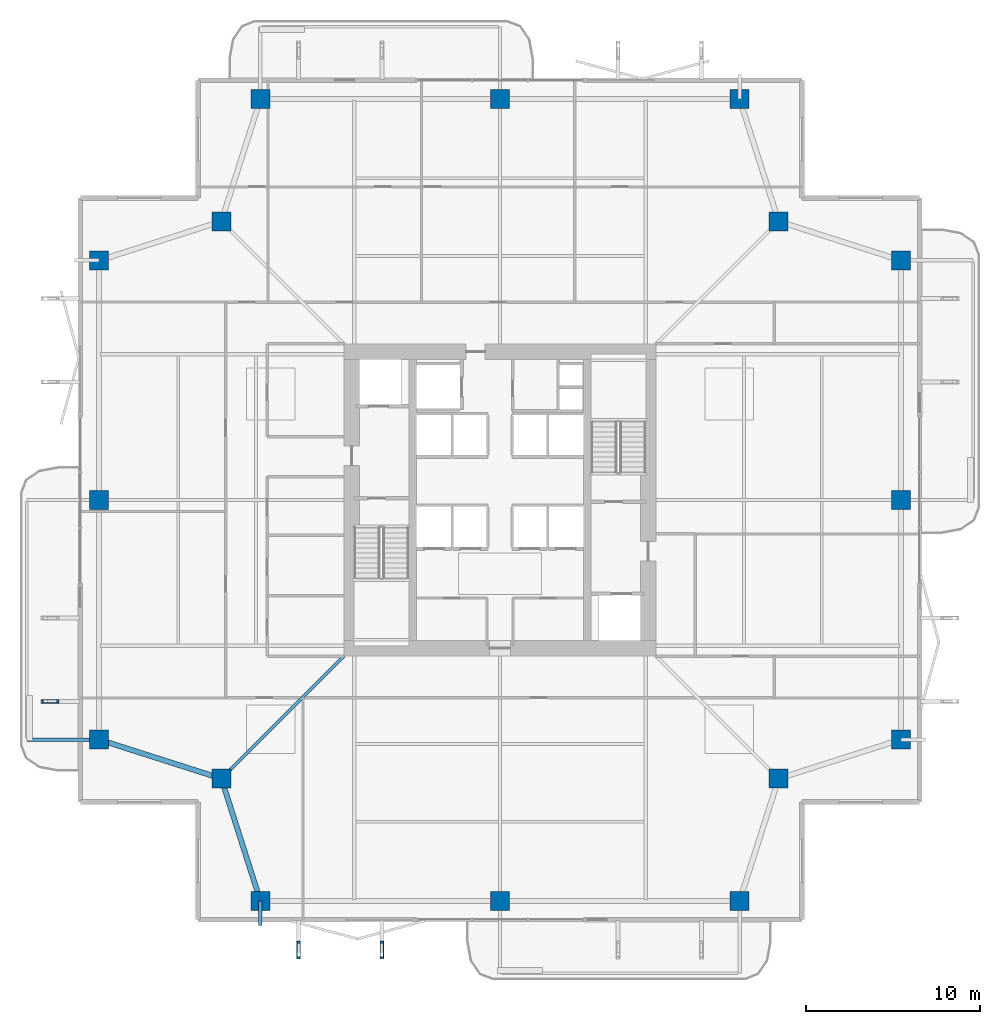
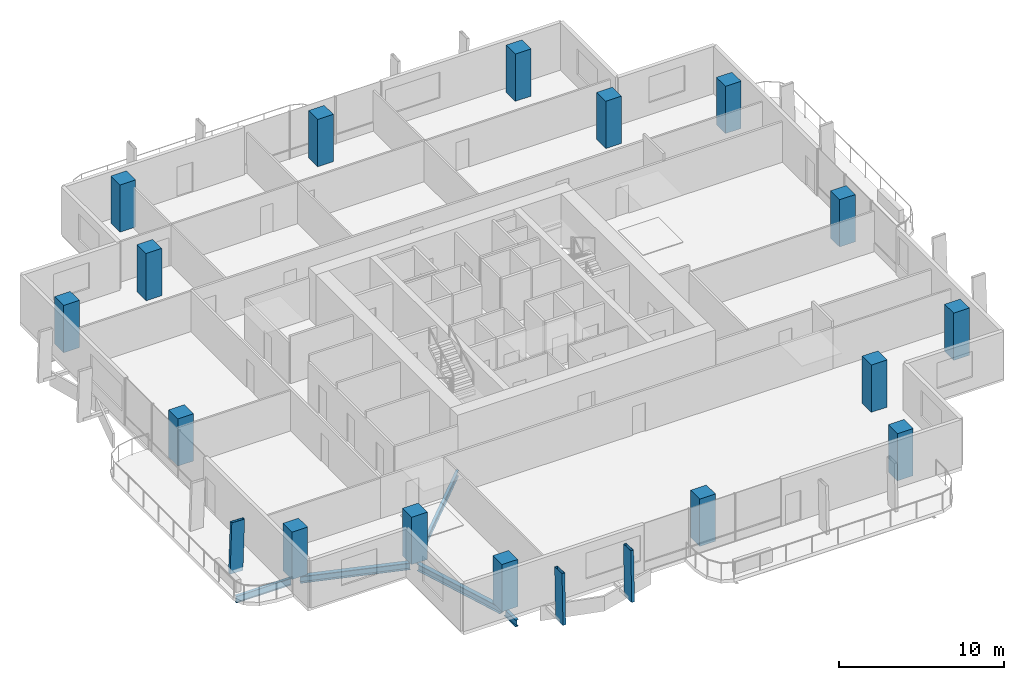
# One storey, part 1 of 24: 16 columns, 5 beams, 3 members.
"""IFC4 building model written with IfcOpenShell, lengths in metres."""

from ifc_helpers import new_model, si_unit, direction, frame, origin, origin_2d, place, context, subcontext, project, spatial, rectangle, hollow_rectangle, i_section, extrude, material, material_profile, profile_set, type_object, element, save


model = new_model("IFC4")

# Units and contexts
model_context = context("Model", 3, precision=1e-05, world=origin(), true_north=direction((0.0, 1.0)))
body_context = subcontext(model_context, "Body", "Model", "MODEL_VIEW")
ifc_project = project(units=[si_unit("LENGTHUNIT", "METRE"), si_unit("AREAUNIT", "SQUARE_METRE"), si_unit("VOLUMEUNIT", "CUBIC_METRE"), si_unit("PLANEANGLEUNIT", "RADIAN"), si_unit("MASSUNIT", "GRAM", prefix="KILO")], contexts=[model_context])

# Site, building, storey
site_placement = place(None, origin())
site = spatial("IfcSite", under=ifc_project, at=site_placement, CompositionType="ELEMENT")
building_placement = place(site_placement, origin())
building = spatial("IfcBuilding", under=site, at=building_placement, Name="Belovzor Exchange Tower", CompositionType="ELEMENT")
storey_placement = place(building_placement, frame((0.0, 0.0, 145.800048828125)))
storey = spatial("IfcBuildingStorey", under=building, at=storey_placement, Name="L35", CompositionType="ELEMENT", Elevation=145.800048828125)

# Columns
ifc_material_1 = material(Name="Concrete C50/60", Category="concrete")
ifc_material_profile_1 = material_profile(ifc_material_1, rectangle(XDim=1.10009765625, YDim=1.10009765625, at=origin_2d()))
ifc_profile_set_1 = profile_set([ifc_material_profile_1], Name="Concrete C50/60")
column_type = type_object("IfcColumnType", Name="Reinforced Concrete Tower Column 1100x1100", PredefinedType="COLUMN", material=ifc_profile_set_1)
for number, where, z_axis, x_axis, name in (
    (1, (15.0, 5.699951171875, 0.0029296875), (0.0, 0.0, 1.0), (1.0, 0.0, 0.0), "COL-T110 Reinforced Concrete Tower Column 1100x1100"),
    (2, (28.800048828125, 5.699951171875, 0.0029296875), (0.0, 0.0, 1.0), (1.0, 0.0, 0.0), "COL-T110 Reinforced Concrete Tower Column 1100x1100"),
    (3, (42.60009765625, 5.699951171875, 0.0029296875), (0.0, 0.0, 1.0), (1.0, 0.0, 0.0), "COL-T110 Reinforced Concrete Tower Column 1100x1100"),
    (4, (51.89990234375, 15.0, 0.0029296875), (0.0, 0.0, 1.0), (1.0, 0.0, 0.0), "COL-T110 Reinforced Concrete Tower Column 1100x1100"),
    (5, (51.89990234375, 28.800048828125, 0.0029296875), (0.0, 0.0, 1.0), (1.0, 0.0, 0.0), "COL-T110 Reinforced Concrete Tower Column 1100x1100"),
    (6, (51.89990234375, 42.60009765625, 0.0029296875), (0.0, 0.0, 1.0), (1.0, 0.0, 0.0), "COL-T110 Reinforced Concrete Tower Column 1100x1100"),
    (7, (42.60009765625, 51.89990234375, 0.0029296875), (0.0, 0.0, 1.0), (1.0, 0.0, 0.0), "COL-T110 Reinforced Concrete Tower Column 1100x1100"),
    (8, (28.800048828125, 51.89990234375, 0.0029296875), (0.0, 0.0, 1.0), (1.0, 0.0, 0.0), "COL-T110 Reinforced Concrete Tower Column 1100x1100"),
    (9, (15.0, 51.89990234375, 0.0029296875), (0.0, 0.0, 1.0), (1.0, 0.0, 0.0), "COL-T110 Reinforced Concrete Tower Column 1100x1100"),
    (10, (5.699951171875, 42.60009765625, 0.0029296875), (0.0, 0.0, 1.0), (1.0, 0.0, 0.0), "COL-T110 Reinforced Concrete Tower Column 1100x1100"),
    (11, (5.699951171875, 28.800048828125, 0.0029296875), (0.0, 0.0, 1.0), (1.0, 0.0, 0.0), "COL-T110 Reinforced Concrete Tower Column 1100x1100"),
    (12, (5.699951171875, 15.0, 0.0029296875), (0.0, 0.0, 1.0), (1.0, 0.0, 0.0), "COL-T110 Reinforced Concrete Tower Column 1100x1100"),
    (13, (12.75, 12.75, 0.0029296875), (0.0, 0.0, 1.0), (1.0, 0.0, 0.0), "COL-T110 Reinforced Concrete Tower Column 1100x1100"),
    (14, (44.85009765625, 12.75, 0.0029296875), (0.0, 0.0, 1.0), (1.0, 0.0, 0.0), "COL-T110 Reinforced Concrete Tower Column 1100x1100"),
    (15, (44.85009765625, 44.85009765625, 0.0029296875), (0.0, 0.0, 1.0), (1.0, 0.0, 0.0), "COL-T110 Reinforced Concrete Tower Column 1100x1100"),
    (16, (12.75, 44.85009765625, 0.0029296875), (0.0, 0.0, 1.0), (1.0, 0.0, 0.0), "COL-T110 Reinforced Concrete Tower Column 1100x1100"),
):
    element("IfcColumn", number, at=place(storey_placement, frame(where, z_axis=z_axis, x_axis=x_axis)), inside=storey, type_object=column_type, Name=name, PredefinedType="COLUMN", context=body_context, shape_type="SweptSolid", body=[
        extrude(rectangle(XDim=1.10009765625, YDim=1.10009765625, at=origin_2d()), origin(), (0.0, 0.0, 1.0), 3.489013671875),
    ])

# Beams
ifc_material_2 = material(Name="Steel S355", Category="steel")
ifc_material_profile_2 = material_profile(ifc_material_2, i_section(OverallWidth=0.199951171875, OverallDepth=0.5, WebThickness=0.01025390625, FlangeThickness=0.01611328125, at=origin_2d()))
ifc_profile_set_2 = profile_set([ifc_material_profile_2], Name="Steel S355")
beam_type_1 = type_object("IfcBeamType", Name="Planted Balcony Cantilever Beam IPE 500", PredefinedType="BEAM", material=ifc_profile_set_2)
beam_1_placement = place(storey_placement, frame((5.39697265625, 15.0, -0.505126953125), z_axis=(-1.0, 0.0, 0.0), x_axis=(0.0, -1.0, 0.0)))
element("IfcBeam", 17, at=beam_1_placement, inside=storey, type_object=beam_type_1, Name="BC-500 Planted Balcony Cantilever Beam IPE 500", PredefinedType="BEAM", context=body_context, shape_type="SweptSolid", body=[
    extrude(i_section(OverallWidth=0.199951171875, OverallDepth=0.5, WebThickness=0.01025390625, FlangeThickness=0.01611328125, at=origin_2d()), origin(), (0.0, 0.0, 1.0), 3.849853515625),
])
beam_2_placement = place(storey_placement, frame((15.0, 5.699951171875, -0.505126953125), z_axis=(0.0, -1.0, 0.0), x_axis=(1.0, 0.0, 0.0)))
element("IfcBeam", 18, at=beam_2_placement, inside=storey, type_object=beam_type_1, Name="BC-500 Planted Balcony Cantilever Beam IPE 500", PredefinedType="BEAM", context=body_context, shape_type="SweptSolid", body=[
    extrude(i_section(OverallWidth=0.199951171875, OverallDepth=0.5, WebThickness=0.01025390625, FlangeThickness=0.01611328125, at=origin_2d()), origin(), (0.0, 0.0, 1.0), 1.39990234375),
])

# Members
ifc_material_3 = material(Name="Extruded Architectural Terracotta on Steel S355 Carrier", Category="masonry")
ifc_material_profile_3 = material_profile(ifc_material_3, hollow_rectangle(XDim=0.199951171875, YDim=0.89990234375, WallThickness=0.011962890625, at=origin_2d()))
ifc_profile_set_3 = profile_set([ifc_material_profile_3], Name="Extruded Architectural Terracotta on Steel S355 Carrier")
member_type = type_object("IfcMemberType", Name="Sweeping Terracotta Baguette Fin Assembly 1250", PredefinedType="USERDEFINED", material=ifc_profile_set_3)
for number, where, z_axis, x_axis, name in (
    (19, (17.199951171875, 2.81689453125, -0.255126953125), (0.0, 0.031754810947, 0.999495688826), (-1.0, 0.0, 0.0), "FIN-TC125 Terracotta Facade Fin L35 S1"),
    (20, (2.81689453125, 17.199951171875, -0.255126953125), (0.031754810947, 0.0, 0.999495688826), (0.0, 1.0, 0.0), "FIN-TC125 Terracotta Facade Fin L35 W1"),
    (21, (22.0, 2.81689453125, -0.255126953125), (0.0, 0.031754810947, 0.999495688826), (-1.0, 0.0, 0.0), "FIN-TC125 Terracotta Facade Fin L35 S2"),
):
    element("IfcMember", number, at=place(storey_placement, frame(where, z_axis=z_axis, x_axis=x_axis)), inside=storey, type_object=member_type, Name=name, ObjectType="FIN", PredefinedType="USERDEFINED", context=body_context, shape_type="SweptSolid", body=[
        extrude(hollow_rectangle(XDim=0.199951171875, YDim=0.89990234375, WallThickness=0.011962890625, at=origin_2d()), origin(), (0.0, 0.0, 1.0), 3.751953125),
    ])

# Beams
ifc_material_4 = material(Name="Steel S355", Category="steel")
ifc_material_profile_4 = material_profile(ifc_material_4, i_section(OverallWidth=0.18994140625, OverallDepth=0.449951171875, WebThickness=0.009521484375, FlangeThickness=0.0146484375, at=origin_2d()))
ifc_profile_set_4 = profile_set([ifc_material_profile_4], Name="Steel S355")
beam_type_2 = type_object("IfcBeamType", Name="Zone 2-4 Radial Composite Floor Beam IPE 450", PredefinedType="BEAM", material=ifc_profile_set_4)
beam_3_placement = place(storey_placement, frame((19.800048828125, 19.800048828125, -0.47998046875), z_axis=(-0.707106781187, -0.707106781187, 0.0), x_axis=(0.707106781187, -0.707106781187, 0.0)))
element("IfcBeam", 22, at=beam_3_placement, inside=storey, type_object=beam_type_2, Name="FB-450 Zone 2-4 Radial Composite Floor Beam IPE 450", PredefinedType="BEAM", context=body_context, shape_type="SweptSolid", body=[
    extrude(i_section(OverallWidth=0.18994140625, OverallDepth=0.449951171875, WebThickness=0.009521484375, FlangeThickness=0.0146484375, at=origin_2d()), origin(), (0.0, 0.0, 1.0), 9.58154296875),
])
ifc_material_5 = material(Name="Steel S355", Category="steel")
ifc_material_profile_5 = material_profile(ifc_material_5, i_section(OverallWidth=0.300048828125, OverallDepth=0.5, WebThickness=0.014404296875, FlangeThickness=0.028076171875, at=origin_2d()))
ifc_profile_set_5 = profile_set([ifc_material_profile_5], Name="Steel S355")
beam_type_3 = type_object("IfcBeamType", Name="Zone 3 Waist Primary Girder HEB 500", PredefinedType="BEAM", material=ifc_profile_set_5)
for number, where, z_axis, x_axis, name in (
    (23, (12.842041015625, 12.4619140625, -0.505126953125), (0.304011730457, -0.952668288411, 0.0), (0.952668288411, 0.304011730457, 0.0), "FG-Z3 Zone 3 Waist Primary Girder HEB 500"),
    (24, (5.988037109375, 14.907958984375, -0.505126953125), (0.952668288411, -0.304011730457, 0.0), (0.304011730457, 0.952668288411, 0.0), "FG-Z3 Zone 3 Waist Primary Girder HEB 500"),
):
    element("IfcBeam", number, at=place(storey_placement, frame(where, z_axis=z_axis, x_axis=x_axis)), inside=storey, type_object=beam_type_3, Name=name, PredefinedType="BEAM", context=body_context, shape_type="SweptSolid", body=[
        extrude(i_section(OverallWidth=0.300048828125, OverallDepth=0.5, WebThickness=0.014404296875, FlangeThickness=0.028076171875, at=origin_2d()), origin(), (0.0, 0.0, 1.0), 6.79541015625),
    ])

save(model, "model.ifc")
